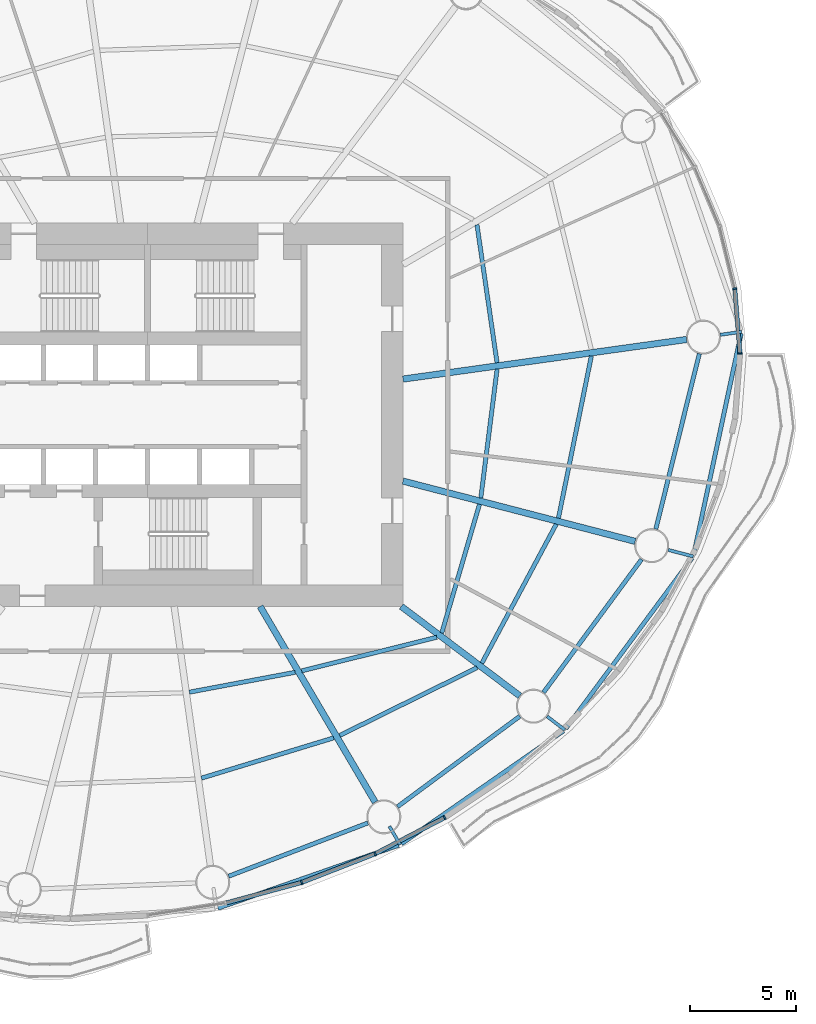
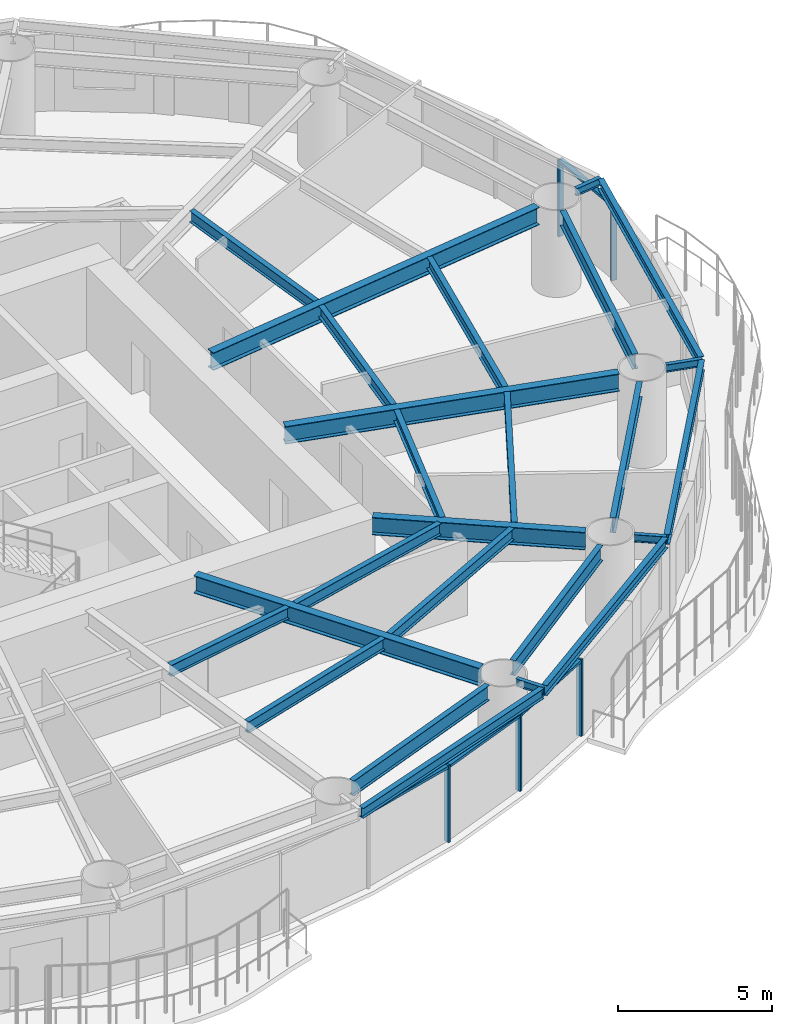
# One storey, part 3 of 14: 25 beams, 9 members, 5 elements without a shape of their own.
"""IFC4 building model written with IfcOpenShell, lengths in metres."""

import ifcopenshell
import ifcopenshell.guid

model = None  # the IFC model being written
_history = None  # IfcOwnerHistory: only IFC2X3 demands one
_inside = {}  # id of a spatial element -> (the spatial element, [elements in it])
_under = {}  # id of a project, library or spatial element -> (it, [spatial elements below it])
_declared = {}  # id of a project -> (the project, [libraries it declares])
_typed = {}  # id of a type object -> (the type object, [elements of that type])
_made_of = {}  # id of a material, layer set ... -> (it, [elements and type objects made of it])


def new_model(schema):
    """Start an empty IFC model of exactly this schema.

    Asked for "IFC4X3", IfcOpenShell would pick the latest addendum, in which some entities
    have other attributes; the version numbers below select the first issue.
    IFC2X3 requires an IfcOwnerHistory on every rooted entity: one is made here for all.
    """
    global model, _history
    if schema == "IFC4X3":
        model = ifcopenshell.file(schema_version=(4, 3, 0, 0))
    else:
        model = ifcopenshell.file(schema=schema)
    _inside.clear()
    _under.clear()
    _declared.clear()
    _typed.clear()
    _made_of.clear()
    _history = None
    if model.schema == "IFC2X3":
        org = make("IfcOrganization", Name="unknown")
        user = make(
            "IfcPersonAndOrganization",
            ThePerson=make("IfcPerson", FamilyName="unknown"),
            TheOrganization=org,
        )
        app = make(
            "IfcApplication",
            ApplicationDeveloper=org,
            Version="unknown",
            ApplicationFullName="unknown",
            ApplicationIdentifier="unknown",
        )
        _history = make(
            "IfcOwnerHistory",
            OwningUser=user,
            OwningApplication=app,
            ChangeAction="ADDED",
            CreationDate=0,
        )
    return model


def make(cls, **values):
    """One entity of the class cls with the attributes given. An attribute that is None is left unset."""
    return model.create_entity(
        cls, **{name: value for name, value in values.items() if value is not None}
    )


def rooted(cls, **values):
    """An entity with a GlobalId (a new one), such as an element, a storey or a relation."""
    return make(cls, GlobalId=ifcopenshell.guid.new(), OwnerHistory=_history, **values)


def si_unit(unit_type, name, prefix=None):
    """IfcSIUnit, for example si_unit("LENGTHUNIT", "METRE", prefix="MILLI")."""
    return make("IfcSIUnit", UnitType=unit_type, Prefix=prefix, Name=name)


def assignment(units):
    """IfcUnitAssignment: the units of a project."""
    return None if units is None else make("IfcUnitAssignment", Units=units)


def point(xyz):
    """IfcCartesianPoint."""
    return None if xyz is None else make("IfcCartesianPoint", Coordinates=xyz)


def direction(xyz):
    """IfcDirection."""
    return None if xyz is None else make("IfcDirection", DirectionRatios=xyz)


def frame(location, z_axis=None, x_axis=None):
    """IfcAxis2Placement3D, a coordinate frame: its origin and axes. An axis left out is left unset."""
    return make(
        "IfcAxis2Placement3D",
        Location=point(location),
        Axis=direction(z_axis),
        RefDirection=direction(x_axis),
    )


def frame_2d(location, x_axis=None):
    """IfcAxis2Placement2D, a coordinate frame in the plane: its origin and x axis."""
    return make(
        "IfcAxis2Placement2D", Location=point(location), RefDirection=direction(x_axis)
    )


def origin():
    """The frame at (0, 0, 0) with its axes left unset."""
    return frame((0.0, 0.0, 0.0))


def origin_2d():
    """The frame at (0, 0) in the plane with its x axis left unset."""
    return frame_2d((0.0, 0.0))


def place(relative_to, where):
    """IfcLocalPlacement: puts the frame where relative to a parent placement (None: the world)."""
    return make(
        "IfcLocalPlacement", PlacementRelTo=relative_to, RelativePlacement=where
    )


def context(
    kind, dimensions, precision=None, world=None, true_north=None, identifier=None
):
    """IfcGeometricRepresentationContext, for example the 3D "Model" context."""
    return make(
        "IfcGeometricRepresentationContext",
        ContextIdentifier=identifier,
        ContextType=kind,
        CoordinateSpaceDimension=dimensions,
        Precision=precision,
        WorldCoordinateSystem=world,
        TrueNorth=true_north,
    )


def subcontext(parent, identifier, kind, view, scale=None):
    """IfcGeometricRepresentationSubContext, for example "Body" below "Model"."""
    return make(
        "IfcGeometricRepresentationSubContext",
        ContextIdentifier=identifier,
        ContextType=kind,
        ParentContext=parent,
        TargetScale=scale,
        TargetView=view,
    )


def project(units=None, contexts=None):
    """IfcProject with its units and contexts."""
    return rooted(
        "IfcProject",
        Name="project",
        RepresentationContexts=contexts,
        UnitsInContext=assignment(units),
    )


def spatial(cls, under=None, at=None, **own):
    """A site, building, storey or space (cls), placed at a placement, below another one or the project."""
    s = rooted(cls, ObjectPlacement=at, **own)
    if under is not None:
        _under.setdefault(under.id(), (under, []))[1].append(s)
    return s


def profile(cls, at=None, kind="AREA", **sizes):
    """A parametric profile (cls). Its sizes go by their IFC names, for example OverallWidth=200.0."""
    return make(cls, ProfileType=kind, Position=at, **sizes)


def rectangle(**sizes):
    """IfcRectangleProfileDef."""
    return profile("IfcRectangleProfileDef", **sizes)


def i_section(**sizes):
    """IfcIShapeProfileDef."""
    return profile("IfcIShapeProfileDef", **sizes)


def extrude(swept, where, along, depth):
    """IfcExtrudedAreaSolid: the profile swept, set in the frame where, extruded along a direction by depth."""
    return make(
        "IfcExtrudedAreaSolid",
        SweptArea=swept,
        Position=where,
        ExtrudedDirection=direction(along),
        Depth=depth,
    )


def shape(context_of_items, identifier, shape_type, items):
    """IfcShapeRepresentation: the items that make up one representation, for example the "Body"."""
    return make(
        "IfcShapeRepresentation",
        ContextOfItems=context_of_items,
        RepresentationIdentifier=identifier,
        RepresentationType=shape_type,
        Items=items,
    )


def material(Name=None, Category=None):
    """IfcMaterial."""
    return make("IfcMaterial", Name=Name, Category=Category)


def material_profile(
    of_material, cross_section, Name=None, Category=None, Priority=None
):
    """IfcMaterialProfile: a cross section and its material."""
    return make(
        "IfcMaterialProfile",
        Name=Name,
        Material=of_material,
        Profile=cross_section,
        Priority=Priority,
        Category=Category,
    )


def profile_set(profiles, Name=None, composite=None):
    """IfcMaterialProfileSet."""
    return make(
        "IfcMaterialProfileSet",
        Name=Name,
        MaterialProfiles=profiles,
        CompositeProfile=composite,
    )


def made_of(thing, what):
    """Note that an element or type object is made of a material, layer set ...; save() writes the relation."""
    if what is not None:
        _made_of.setdefault(what.id(), (what, []))[1].append(thing)
    return thing


def type_object(cls, material=None, **own):
    """A type object (cls), such as IfcWallType, which elements share."""
    return made_of(rooted(cls, **own), material)


def element(
    cls,
    number,
    at=None,
    inside=None,
    cuts=None,
    type_object=None,
    material=None,
    context=None,
    identifier="Body",
    shape_type=None,
    held_by="IfcProductDefinitionShape",
    body=None,
    shapes=None,
    **own,
):
    """One element of the class cls, such as IfcWall. Its Tag is "e" and its number.

    at: its placement. inside: the storey or other place that contains it. cuts: it is an
    opening in that element (IfcRelVoidsElement). A single representation is given by context,
    identifier, shape_type and body (its items); several are given by shapes. held_by: the class
    of the entity that holds the representations. save() writes the other relations.
    """
    e = rooted(cls, Tag="e%d" % number, ObjectPlacement=at, **own)
    if body is not None:
        shapes = [shape(context, identifier, shape_type, body)]
    if shapes is not None:
        e.Representation = make(held_by, Representations=shapes)
    if inside is not None:
        _inside.setdefault(inside.id(), (inside, []))[1].append(e)
    if cuts is not None:
        rooted(
            "IfcRelVoidsElement", RelatingBuildingElement=cuts, RelatedOpeningElement=e
        )
    if type_object is not None:
        _typed.setdefault(type_object.id(), (type_object, []))[1].append(e)
    return made_of(e, material)


def aggregate(whole, parts):
    """IfcRelAggregates: a whole, such as a stair, and the parts it consists of."""
    return rooted("IfcRelAggregates", RelatingObject=whole, RelatedObjects=parts)


def save(model, path):
    """Write the relations noted so far, then the file.

    IfcRelAggregates (storeys below a building ...), IfcRelContainedInSpatialStructure (elements
    in a storey), IfcRelDefinesByType, IfcRelAssociatesMaterial and IfcRelDeclares: one each for
    every whole, place, type object, material and project.
    """
    for whole, parts in _under.values():
        aggregate(whole, parts)
    for where, things in _inside.values():
        rooted(
            "IfcRelContainedInSpatialStructure",
            RelatedElements=things,
            RelatingStructure=where,
        )
    for kind, things in _typed.values():
        rooted("IfcRelDefinesByType", RelatedObjects=things, RelatingType=kind)
    for what, things in _made_of.values():
        rooted("IfcRelAssociatesMaterial", RelatedObjects=things, RelatingMaterial=what)
    for by, libraries in _declared.values():
        rooted("IfcRelDeclares", RelatingContext=by, RelatedDefinitions=libraries)
    model.write(path)


model = new_model("IFC4")

# Units and contexts
model_context = context("Model", 3, precision=1e-05, world=origin(), true_north=direction((0.0, 1.0)))
body_context = subcontext(model_context, "Body", "Model", "MODEL_VIEW")
ifc_project = project(units=[si_unit("LENGTHUNIT", "METRE"), si_unit("AREAUNIT", "SQUARE_METRE"), si_unit("VOLUMEUNIT", "CUBIC_METRE"), si_unit("PLANEANGLEUNIT", "RADIAN"), si_unit("MASSUNIT", "GRAM", prefix="KILO")], contexts=[model_context])

# Site, building, storey
site_placement = place(None, origin())
site = spatial("IfcSite", under=ifc_project, at=site_placement, CompositionType="ELEMENT")
building_placement = place(site_placement, origin())
building = spatial("IfcBuilding", under=site, at=building_placement, Name="Vermilion Reach Broadcast Tower", CompositionType="ELEMENT")
storey_placement = place(building_placement, frame((0.0, 0.0, 106.60009765625)))
storey = spatial("IfcBuildingStorey", under=building, at=storey_placement, Name="L24", CompositionType="ELEMENT", Elevation=106.60009765625)

# Beams
ifc_material_1 = material(Name="Steel S355J2", Category="steel")
ifc_material_profile_1 = material_profile(ifc_material_1, i_section(OverallWidth=0.199951171875, OverallDepth=0.39990234375, WebThickness=0.008056640625, FlangeThickness=0.012939453125, at=origin_2d()), Name="S355J2 HN 400x200x8x13")
ifc_profile_set_1 = profile_set([ifc_material_profile_1], Name="Steel S355J2")
beam_type_1 = type_object("IfcBeamType", Name="EB2 HN 400x200x8x13", PredefinedType="BEAM", material=ifc_profile_set_1)
beam_1_placement = place(storey_placement, frame((-2.688720703125, -23.168212890625, 3.25), z_axis=(0.944370251801, 0.328884215968, 0.0), x_axis=(-0.328884215968, 0.944370251801, 0.0)))
element("IfcBeam", 1, at=beam_1_placement, inside=storey, type_object=beam_type_1, Name="Edge beam EB2-12", PredefinedType="BEAM", context=body_context, shape_type="SweptSolid", body=[
    extrude(i_section(OverallWidth=0.199951171875, OverallDepth=0.39990234375, WebThickness=0.008056640625, FlangeThickness=0.012939453125, at=origin_2d()), origin(), (0.0, 0.0, 1.0), 8.984375),
])
beam_2_placement = place(storey_placement, frame((5.9296875, -20.145263671875, 3.25), z_axis=(0.820363358061, 0.571842601378, 0.0), x_axis=(-0.571842601378, 0.820363358061, 0.0)))
element("IfcBeam", 2, at=beam_2_placement, inside=storey, type_object=beam_type_1, Name="Edge beam EB2-13", PredefinedType="BEAM", context=body_context, shape_type="SweptSolid", body=[
    extrude(i_section(OverallWidth=0.199951171875, OverallDepth=0.39990234375, WebThickness=0.008056640625, FlangeThickness=0.012939453125, at=origin_2d()), origin(), (0.0, 0.0, 1.0), 9.272705078125),
])
beam_3_placement = place(storey_placement, frame((13.64599609375, -14.7373046875, 3.25), z_axis=(0.595131004952, 0.803628699677, 0.0), x_axis=(-0.803628699677, 0.595131004952, 0.0)))
element("IfcBeam", 3, at=beam_3_placement, inside=storey, type_object=beam_type_1, Name="Edge beam EB2-14", PredefinedType="BEAM", context=body_context, shape_type="SweptSolid", body=[
    extrude(i_section(OverallWidth=0.199951171875, OverallDepth=0.39990234375, WebThickness=0.008056640625, FlangeThickness=0.012939453125, at=origin_2d()), origin(), (0.0, 0.0, 1.0), 9.978759765625),
])
beam_4_placement = place(storey_placement, frame((19.648681640625, -6.57958984375, 3.25), z_axis=(0.209709398942, 0.977763758786, 0.0), x_axis=(-0.977763758786, 0.209709398942, 0.0)))
element("IfcBeam", 4, at=beam_4_placement, inside=storey, type_object=beam_type_1, Name="Edge beam EB2-15", PredefinedType="BEAM", context=body_context, shape_type="SweptSolid", body=[
    extrude(i_section(OverallWidth=0.199951171875, OverallDepth=0.39990234375, WebThickness=0.008056640625, FlangeThickness=0.012939453125, at=origin_2d()), origin(), (0.0, 0.0, 1.0), 10.6337890625),
])
ifc_material_2 = material(Name="Steel S355J2", Category="steel")
ifc_material_profile_2 = material_profile(ifc_material_2, i_section(OverallWidth=0.300048828125, OverallDepth=0.699951171875, WebThickness=0.012939453125, FlangeThickness=0.02392578125, at=origin_2d()), Name="S355J2 HN 700x300x13x24")
ifc_profile_set_2 = profile_set([ifc_material_profile_2], Name="Steel S355J2")
beam_type_2 = type_object("IfcBeamType", Name="G2 HN 700x300x13x24", PredefinedType="BEAM", material=ifc_profile_set_2)
beam_5_placement = place(storey_placement, frame((-0.709228515625, -9.0, 3.099853515625), z_axis=(0.506783943634, -0.862073102744, 0.0), x_axis=(0.862073102744, 0.506783943634, 0.0)))
element("IfcBeam", 5, at=beam_5_placement, inside=storey, type_object=beam_type_2, Name="Girder G2-13", PredefinedType="BEAM", context=body_context, shape_type="SweptSolid", body=[
    extrude(i_section(OverallWidth=0.300048828125, OverallDepth=0.699951171875, WebThickness=0.012939453125, FlangeThickness=0.02392578125, at=origin_2d()), origin(), (0.0, 0.0, 1.0), 10.661865234375),
])
beam_6_placement = place(storey_placement, frame((5.921630859375, -9.0, 3.099853515625), z_axis=(0.798113534072, -0.602507084382, 0.0), x_axis=(0.602507084382, 0.798113534072, 0.0)))
element("IfcBeam", 6, at=beam_6_placement, inside=storey, type_object=beam_type_2, Name="Girder G2-14", PredefinedType="BEAM", context=body_context, shape_type="SweptSolid", body=[
    extrude(i_section(OverallWidth=0.300048828125, OverallDepth=0.699951171875, WebThickness=0.012939453125, FlangeThickness=0.02392578125, at=origin_2d()), origin(), (0.0, 0.0, 1.0), 6.971923828125),
])
beam_7_placement = place(storey_placement, frame((6.0, -3.114501953125, 3.099853515625), z_axis=(0.967926079816, -0.2512351568, 0.0), x_axis=(0.2512351568, 0.967926079816, 0.0)))
element("IfcBeam", 7, at=beam_7_placement, inside=storey, type_object=beam_type_2, Name="Girder G2-15", PredefinedType="BEAM", context=body_context, shape_type="SweptSolid", body=[
    extrude(i_section(OverallWidth=0.300048828125, OverallDepth=0.699951171875, WebThickness=0.012939453125, FlangeThickness=0.02392578125, at=origin_2d()), origin(), (0.0, 0.0, 1.0), 11.265625),
])
beam_8_placement = place(storey_placement, frame((6.0, 1.67578125, 3.099853515625), z_axis=(0.990389457618, 0.138306623986, 0.0), x_axis=(-0.138306623986, 0.990389457618, 0.0)))
element("IfcBeam", 8, at=beam_8_placement, inside=storey, type_object=beam_type_2, Name="Girder G2-16", PredefinedType="BEAM", context=body_context, shape_type="SweptSolid", body=[
    extrude(i_section(OverallWidth=0.300048828125, OverallDepth=0.699951171875, WebThickness=0.012939453125, FlangeThickness=0.02392578125, at=origin_2d()), origin(), (0.0, 0.0, 1.0), 13.445556640625),
])
ifc_material_3 = material(Name="Steel S355J2", Category="steel")
ifc_material_profile_3 = material_profile(ifc_material_3, i_section(OverallWidth=0.14990234375, OverallDepth=0.300048828125, WebThickness=0.006591796875, FlangeThickness=0.009033203125, at=origin_2d()), Name="S355J2 HN 300x150x6.5x9")
ifc_profile_set_3 = profile_set([ifc_material_profile_3], Name="Steel S355J2")
beam_type_3 = type_object("IfcBeamType", Name="GS2 HN 300x150x6.5x9", PredefinedType="BEAM", material=ifc_profile_set_3)
beam_9_placement = place(storey_placement, frame((5.361328125, -19.326171875, 3.2998046875), z_axis=(0.506828068037, -0.862047161964, 0.0), x_axis=(0.862047161964, 0.506828068037, 0.0)))
element("IfcBeam", 9, at=beam_9_placement, inside=storey, type_object=beam_type_3, Name="Cantilever stub GS2-13", PredefinedType="BEAM", context=body_context, shape_type="SweptSolid", body=[
    extrude(i_section(OverallWidth=0.14990234375, OverallDepth=0.300048828125, WebThickness=0.006591796875, FlangeThickness=0.009033203125, at=origin_2d()), origin(), (0.0, 0.0, 1.0), 1.0),
])
beam_10_placement = place(storey_placement, frame((12.762939453125, -14.16455078125, 3.2998046875), z_axis=(0.798043649723, -0.602599645816, 0.0), x_axis=(0.602599645816, 0.798043649723, 0.0)))
element("IfcBeam", 10, at=beam_10_placement, inside=storey, type_object=beam_type_3, Name="Cantilever stub GS2-14", PredefinedType="BEAM", context=body_context, shape_type="SweptSolid", body=[
    extrude(i_section(OverallWidth=0.14990234375, OverallDepth=0.300048828125, WebThickness=0.006591796875, FlangeThickness=0.009033203125, at=origin_2d()), origin(), (0.0, 0.0, 1.0), 1.050537109375),
])
beam_11_placement = place(storey_placement, frame((18.452880859375, -6.3466796875, 3.2998046875), z_axis=(0.967899522531, -0.251337451019, 0.0), x_axis=(0.251337451019, 0.967899522531, 0.0)))
element("IfcBeam", 11, at=beam_11_placement, inside=storey, type_object=beam_type_3, Name="Cantilever stub GS2-15", PredefinedType="BEAM", context=body_context, shape_type="SweptSolid", body=[
    extrude(i_section(OverallWidth=0.14990234375, OverallDepth=0.300048828125, WebThickness=0.006591796875, FlangeThickness=0.009033203125, at=origin_2d()), origin(), (0.0, 0.0, 1.0), 1.218994140625),
])
beam_12_placement = place(storey_placement, frame((20.901123046875, 3.7568359375, 3.2998046875), z_axis=(0.990382436951, 0.138356888442, 0.0), x_axis=(-0.138356888442, 0.990382436951, 0.0)))
element("IfcBeam", 12, at=beam_12_placement, inside=storey, type_object=beam_type_3, Name="Cantilever stub GS2-16", PredefinedType="BEAM", context=body_context, shape_type="SweptSolid", body=[
    extrude(i_section(OverallWidth=0.14990234375, OverallDepth=0.300048828125, WebThickness=0.006591796875, FlangeThickness=0.009033203125, at=origin_2d()), origin(), (0.0, 0.0, 1.0), 1.004150390625),
])
ifc_material_4 = material(Name="Steel S355J2", Category="steel")
ifc_material_profile_4 = material_profile(ifc_material_4, i_section(OverallWidth=0.199951171875, OverallDepth=0.60009765625, WebThickness=0.010986328125, FlangeThickness=0.01708984375, at=origin_2d()), Name="S355J2 HN 600x200x11x17")
ifc_profile_set_4 = profile_set([ifc_material_profile_4], Name="Steel S355J2")
beam_type_4 = type_object("IfcBeamType", Name="RB2 HN 600x200x11x17", PredefinedType="BEAM", material=ifc_profile_set_4)
beam_13_placement = place(storey_placement, frame((-2.186767578125, -21.669677734375, 3.14990234375), z_axis=(0.933939237212, 0.357431813353, 0.0), x_axis=(-0.357431813353, 0.933939237212, 0.0)))
element("IfcBeam", 13, at=beam_13_placement, inside=storey, type_object=beam_type_4, Name="Ring beam RB2-12", PredefinedType="BEAM", context=body_context, shape_type="SweptSolid", body=[
    extrude(i_section(OverallWidth=0.199951171875, OverallDepth=0.60009765625, WebThickness=0.010986328125, FlangeThickness=0.01708984375, at=origin_2d()), origin(), (0.0, 0.0, 1.0), 7.001953125),
])
beam_14_placement = place(storey_placement, frame((5.74267578125, -18.4052734375, 3.14990234375), z_axis=(0.803832742218, 0.594855379515, 0.0), x_axis=(-0.594855379515, 0.803832742218, 0.0)))
element("IfcBeam", 14, at=beam_14_placement, inside=storey, type_object=beam_type_4, Name="Ring beam RB2-13", PredefinedType="BEAM", context=body_context, shape_type="SweptSolid", body=[
    extrude(i_section(OverallWidth=0.199951171875, OverallDepth=0.60009765625, WebThickness=0.010986328125, FlangeThickness=0.01708984375, at=origin_2d()), origin(), (0.0, 0.0, 1.0), 7.13916015625),
])
beam_15_placement = place(storey_placement, frame((12.59912109375, -13.03857421875, 3.14990234375), z_axis=(0.593250534798, 0.80501788984, 0.0), x_axis=(-0.80501788984, 0.593250534798, 0.0)))
element("IfcBeam", 15, at=beam_15_placement, inside=storey, type_object=beam_type_4, Name="Ring beam RB2-14", PredefinedType="BEAM", context=body_context, shape_type="SweptSolid", body=[
    extrude(i_section(OverallWidth=0.199951171875, OverallDepth=0.60009765625, WebThickness=0.010986328125, FlangeThickness=0.01708984375, at=origin_2d()), origin(), (0.0, 0.0, 1.0), 7.76220703125),
])
beam_16_placement = place(storey_placement, frame((17.871337890625, -5.369384765625, 3.14990234375), z_axis=(0.240863809798, 0.970558924089, 0.0), x_axis=(-0.970558924089, 0.240863809798, 0.0)))
element("IfcBeam", 16, at=beam_16_placement, inside=storey, type_object=beam_type_4, Name="Ring beam RB2-15", PredefinedType="BEAM", context=body_context, shape_type="SweptSolid", body=[
    extrude(i_section(OverallWidth=0.199951171875, OverallDepth=0.60009765625, WebThickness=0.010986328125, FlangeThickness=0.01708984375, at=origin_2d()), origin(), (0.0, 0.0, 1.0), 8.489013671875),
])
ifc_material_5 = material(Name="Steel S355J2", Category="steel")
ifc_material_profile_5 = material_profile(ifc_material_5, i_section(OverallWidth=0.199951171875, OverallDepth=0.449951171875, WebThickness=0.009033203125, FlangeThickness=0.013916015625, at=origin_2d()), Name="S355J2 HN 450x200x9x14")
ifc_profile_set_5 = profile_set([ifc_material_profile_5], Name="Steel S355J2")
beam_type_5 = type_object("IfcBeamType", Name="SB2 HN 450x200x9x14", PredefinedType="BEAM", material=ifc_profile_set_5)
beam_17_placement = place(storey_placement, frame((-4.029296875, -13.026611328125, 3.224853515625), z_axis=(0.982782890015, 0.184764149915, 0.0), x_axis=(-0.184764149915, 0.982782890015, 0.0)))
element("IfcBeam", 17, at=beam_17_placement, inside=storey, type_object=beam_type_5, Name="Secondary beam SB2-12-1", PredefinedType="BEAM", context=body_context, shape_type="SweptSolid", body=[
    extrude(i_section(OverallWidth=0.199951171875, OverallDepth=0.449951171875, WebThickness=0.009033203125, FlangeThickness=0.013916015625, at=origin_2d()), origin(), (0.0, 0.0, 1.0), 5.051513671875),
])
beam_18_placement = place(storey_placement, frame((-3.46533203125, -17.064697265625, 3.224853515625), z_axis=(0.956596430605, 0.291415972374, 0.0), x_axis=(-0.291415972374, 0.956596430605, 0.0)))
element("IfcBeam", 18, at=beam_18_placement, inside=storey, type_object=beam_type_5, Name="Secondary beam SB2-12-2", PredefinedType="BEAM", context=body_context, shape_type="SweptSolid", body=[
    extrude(i_section(OverallWidth=0.199951171875, OverallDepth=0.449951171875, WebThickness=0.009033203125, FlangeThickness=0.013916015625, at=origin_2d()), origin(), (0.0, 0.0, 1.0), 6.49267578125),
])
beam_19_placement = place(storey_placement, frame((1.24365234375, -12.026123046875, 3.224853515625), z_axis=(0.970396717612, 0.241516480695, 0.0), x_axis=(-0.241516480695, 0.970396717612, 0.0)))
element("IfcBeam", 19, at=beam_19_placement, inside=storey, type_object=beam_type_5, Name="Secondary beam SB2-13-1", PredefinedType="BEAM", context=body_context, shape_type="SweptSolid", body=[
    extrude(i_section(OverallWidth=0.199951171875, OverallDepth=0.449951171875, WebThickness=0.009033203125, FlangeThickness=0.013916015625, at=origin_2d()), origin(), (0.0, 0.0, 1.0), 6.539306640625),
])
beam_20_placement = place(storey_placement, frame((3.02783203125, -15.06103515625, 3.224853515625), z_axis=(0.896648255868, 0.442743611189, 0.0), x_axis=(-0.442743611189, 0.896648255868, 0.0)))
element("IfcBeam", 20, at=beam_20_placement, inside=storey, type_object=beam_type_5, Name="Secondary beam SB2-13-2", PredefinedType="BEAM", context=body_context, shape_type="SweptSolid", body=[
    extrude(i_section(OverallWidth=0.199951171875, OverallDepth=0.449951171875, WebThickness=0.009033203125, FlangeThickness=0.013916015625, at=origin_2d()), origin(), (0.0, 0.0, 1.0), 7.19677734375),
])
beam_21_placement = place(storey_placement, frame((7.821533203125, -10.246337890625, 3.224853515625), z_axis=(0.281175657723, 0.959656318431, 0.0), x_axis=(-0.959656318431, 0.281175657723, 0.0)))
element("IfcBeam", 21, at=beam_21_placement, inside=storey, type_object=beam_type_5, Name="Secondary beam SB2-14-1", PredefinedType="BEAM", context=body_context, shape_type="SweptSolid", body=[
    extrude(i_section(OverallWidth=0.199951171875, OverallDepth=0.449951171875, WebThickness=0.009033203125, FlangeThickness=0.013916015625, at=origin_2d()), origin(), (0.0, 0.0, 1.0), 6.298583984375),
])
beam_22_placement = place(storey_placement, frame((9.702880859375, -11.66650390625, 3.224853515625), z_axis=(0.471821551693, 0.881694064491, 0.0), x_axis=(-0.881694064491, 0.471821551693, 0.0)))
element("IfcBeam", 22, at=beam_22_placement, inside=storey, type_object=beam_type_5, Name="Secondary beam SB2-14-2", PredefinedType="BEAM", context=body_context, shape_type="SweptSolid", body=[
    extrude(i_section(OverallWidth=0.199951171875, OverallDepth=0.449951171875, WebThickness=0.009033203125, FlangeThickness=0.013916015625, at=origin_2d()), origin(), (0.0, 0.0, 1.0), 7.405029296875),
])
beam_23_placement = place(storey_placement, frame((9.65380859375, -3.907958984375, 3.224853515625), z_axis=(0.125557241128, 0.992086376885, 0.0), x_axis=(-0.992086376885, 0.125557241128, 0.0)))
element("IfcBeam", 23, at=beam_23_placement, inside=storey, type_object=beam_type_5, Name="Secondary beam SB2-15-1", PredefinedType="BEAM", context=body_context, shape_type="SweptSolid", body=[
    extrude(i_section(OverallWidth=0.199951171875, OverallDepth=0.449951171875, WebThickness=0.009033203125, FlangeThickness=0.013916015625, at=origin_2d()), origin(), (0.0, 0.0, 1.0), 6.097900390625),
])
beam_24_placement = place(storey_placement, frame((13.29931640625, -4.854248046875, 3.224853515625), z_axis=(0.19906416804, 0.979986457561, 0.0), x_axis=(-0.979986457561, 0.19906416804, 0.0)))
element("IfcBeam", 24, at=beam_24_placement, inside=storey, type_object=beam_type_5, Name="Secondary beam SB2-15-2", PredefinedType="BEAM", context=body_context, shape_type="SweptSolid", body=[
    extrude(i_section(OverallWidth=0.199951171875, OverallDepth=0.449951171875, WebThickness=0.009033203125, FlangeThickness=0.013916015625, at=origin_2d()), origin(), (0.0, 0.0, 1.0), 7.76953125),
])
beam_25_placement = place(storey_placement, frame((10.417236328125, 2.444091796875, 3.224853515625), z_axis=(-0.143973706518, 0.989581513485, 0.0), x_axis=(-0.989581513485, -0.143973706518, 0.0)))
element("IfcBeam", 25, at=beam_25_placement, inside=storey, type_object=beam_type_5, Name="Secondary beam SB2-16-1", PredefinedType="BEAM", context=body_context, shape_type="SweptSolid", body=[
    extrude(i_section(OverallWidth=0.199951171875, OverallDepth=0.449951171875, WebThickness=0.009033203125, FlangeThickness=0.013916015625, at=origin_2d()), origin(), (0.0, 0.0, 1.0), 6.547119140625),
])

# Curtain wall, member
ifc_material_6 = material(Name="Low-e laminated clear glass in aluminium frame", Category="aluminium")
curtain_wall_type = type_object("IfcCurtainWallType", Name="Slot curtain wall", PredefinedType="NOTDEFINED", material=ifc_material_6)
placement = place(storey_placement, origin())
curtain_wall_1 = element("IfcCurtainWall", 26, at=placement, inside=storey, type_object=curtain_wall_type, Name="Slot curtain wall L24 46", PredefinedType="NOTDEFINED")
ifc_material_7 = material(Name="Anodised aluminium", Category="aluminium")
ifc_material_profile_6 = material_profile(ifc_material_7, rectangle(XDim=0.199951171875, YDim=0.080078125, at=origin_2d()), Name="Slot mullion 80 x 200")
ifc_profile_set_6 = profile_set([ifc_material_profile_6], Name="Anodised aluminium")
member_type_1 = type_object("IfcMemberType", Name="Slot mullion 80 x 200", PredefinedType="MULLION", material=ifc_profile_set_6)
member_1_placement = place(storey_placement, frame((21.822998046875, 2.8837890625, 0.0), z_axis=(0.0, 0.0, 1.0), x_axis=(-0.999995773915, -0.002907258401, 0.0)))
member_1 = element("IfcMember", 27, at=member_1_placement, type_object=member_type_1, Name="Slot mullion L24 46", PredefinedType="MULLION", context=body_context, shape_type="SweptSolid", body=[
    extrude(rectangle(XDim=0.199951171875, YDim=0.080078125, at=origin_2d()), origin(), (0.0, 0.0, 1.0), 3.0498046875),
])

curtain_wall_2 = element("IfcCurtainWall", 28, at=placement, inside=storey, type_object=curtain_wall_type, Name="Slot curtain wall L24 47", PredefinedType="NOTDEFINED")
member_2_placement = place(storey_placement, frame((21.5791015625, 5.919677734375, 0.0), z_axis=(0.0, 0.0, 1.0), x_axis=(-0.98732773555, -0.158694494589, 0.0)))
member_2 = element("IfcMember", 29, at=member_2_placement, type_object=member_type_1, Name="Slot mullion L24 47", PredefinedType="MULLION", context=body_context, shape_type="SweptSolid", body=[
    extrude(rectangle(XDim=0.199951171875, YDim=0.080078125, at=origin_2d()), origin(), (0.0, 0.0, 1.0), 3.0498046875),
])
aggregate(curtain_wall_2, [member_2])

curtain_wall_3 = element("IfcCurtainWall", 30, at=placement, inside=storey, type_object=curtain_wall_type, Name="Slot curtain wall L24 36", PredefinedType="NOTDEFINED")
member_3_placement = place(storey_placement, frame((1.23828125, -21.96337890625, 0.0), z_axis=(0.0, 0.0, 1.0), x_axis=(-0.312998042395, 0.949753770962, 0.0)))
member_3 = element("IfcMember", 31, at=member_3_placement, type_object=member_type_1, Name="Slot mullion L24 36", PredefinedType="MULLION", context=body_context, shape_type="SweptSolid", body=[
    extrude(rectangle(XDim=0.199951171875, YDim=0.080078125, at=origin_2d()), origin(), (0.0, 0.0, 1.0), 3.0498046875),
])

# Curtain wall, members
curtain_wall_4 = element("IfcCurtainWall", 32, at=placement, inside=storey, type_object=curtain_wall_type, Name="Slot curtain wall L24 37", PredefinedType="NOTDEFINED")
member_4_placement = place(storey_placement, frame((4.689208984375, -20.616943359375, 0.0), z_axis=(0.0, 0.0, 1.0), x_axis=(-0.413198837473, 0.910640829697, 0.0)))
member_4 = element("IfcMember", 33, at=member_4_placement, type_object=member_type_1, Name="Slot mullion L24 37", PredefinedType="MULLION", context=body_context, shape_type="SweptSolid", body=[
    extrude(rectangle(XDim=0.199951171875, YDim=0.080078125, at=origin_2d()), origin(), (0.0, 0.0, 1.0), 3.0498046875),
])
member_5_placement = place(storey_placement, frame((7.95654296875, -18.916259765625, 0.0), z_axis=(0.0, 0.0, 1.0), x_axis=(-0.509657128701, 0.860377598014, 0.0)))
member_5 = element("IfcMember", 34, at=member_5_placement, type_object=member_type_1, Name="Slot mullion L24 38", PredefinedType="MULLION", context=body_context, shape_type="SweptSolid", body=[
    extrude(rectangle(XDim=0.199951171875, YDim=0.080078125, at=origin_2d()), origin(), (0.0, 0.0, 1.0), 3.0498046875),
])

# Member
ifc_material_8 = material(Name="Anodised aluminium", Category="aluminium")
ifc_material_profile_7 = material_profile(ifc_material_8, rectangle(XDim=0.199951171875, YDim=0.10009765625, at=origin_2d()), Name="Slot transom 200 x 100")
ifc_profile_set_7 = profile_set([ifc_material_profile_7], Name="Anodised aluminium")
member_type_2 = type_object("IfcMemberType", Name="Slot transom 200 x 100", PredefinedType="USERDEFINED", material=ifc_profile_set_7)
member_6_placement = place(storey_placement, frame((21.81982421875, 2.923583984375, 3.0), z_axis=(-0.08010187001, 0.996786682506, 0.0), x_axis=(-0.996786682506, -0.08010187001, 0.0)))
member_6 = element("IfcMember", 35, at=member_6_placement, type_object=member_type_2, Name="Slot transom L24 46.1", ObjectType="TRANSOM", PredefinedType="USERDEFINED", context=body_context, shape_type="SweptSolid", body=[
    extrude(rectangle(XDim=0.199951171875, YDim=0.10009765625, at=origin_2d()), origin(), (0.0, 0.0, 1.0), 2.965576171875),
])

aggregate(curtain_wall_1, [member_1, member_6])

# Curtain wall, member
curtain_wall_5 = element("IfcCurtainWall", 36, at=placement, inside=storey, type_object=curtain_wall_type, Name="Slot curtain wall L24 35", PredefinedType="NOTDEFINED")
member_7_placement = place(storey_placement, frame((-2.298583984375, -22.922119140625, 3.0), z_axis=(0.965166856738, 0.26163512504, 0.0), x_axis=(-0.26163512504, 0.965166856738, 0.0)))
member_7 = element("IfcMember", 37, at=member_7_placement, type_object=member_type_2, Name="Slot transom L24 35.1", ObjectType="TRANSOM", PredefinedType="USERDEFINED", context=body_context, shape_type="SweptSolid", body=[
    extrude(rectangle(XDim=0.199951171875, YDim=0.10009765625, at=origin_2d()), origin(), (0.0, 0.0, 1.0), 3.624267578125),
])
aggregate(curtain_wall_5, [member_7])

# Member
member_8_placement = place(storey_placement, frame((1.275390625, -21.94873046875, 3.0), z_axis=(0.931610998348, 0.363456940719, 0.0), x_axis=(-0.363456940719, 0.931610998348, 0.0)))
member_8 = element("IfcMember", 38, at=member_8_placement, type_object=member_type_2, Name="Slot transom L24 36.1", ObjectType="TRANSOM", PredefinedType="USERDEFINED", context=body_context, shape_type="SweptSolid", body=[
    extrude(rectangle(XDim=0.199951171875, YDim=0.10009765625, at=origin_2d()), origin(), (0.0, 0.0, 1.0), 3.62451171875),
])

aggregate(curtain_wall_3, [member_3, member_8])

member_9_placement = place(storey_placement, frame((4.724853515625, -20.598388671875, 3.0), z_axis=(0.887031459516, 0.461708988247, 0.0), x_axis=(-0.461708988247, 0.887031459516, 0.0)))
member_9 = element("IfcMember", 39, at=member_9_placement, type_object=member_type_2, Name="Slot transom L24 37.1", ObjectType="TRANSOM", PredefinedType="USERDEFINED", context=body_context, shape_type="SweptSolid", body=[
    extrude(rectangle(XDim=0.199951171875, YDim=0.10009765625, at=origin_2d()), origin(), (0.0, 0.0, 1.0), 3.60302734375),
])

aggregate(curtain_wall_4, [member_4, member_5, member_9])

save(model, "model.ifc")
